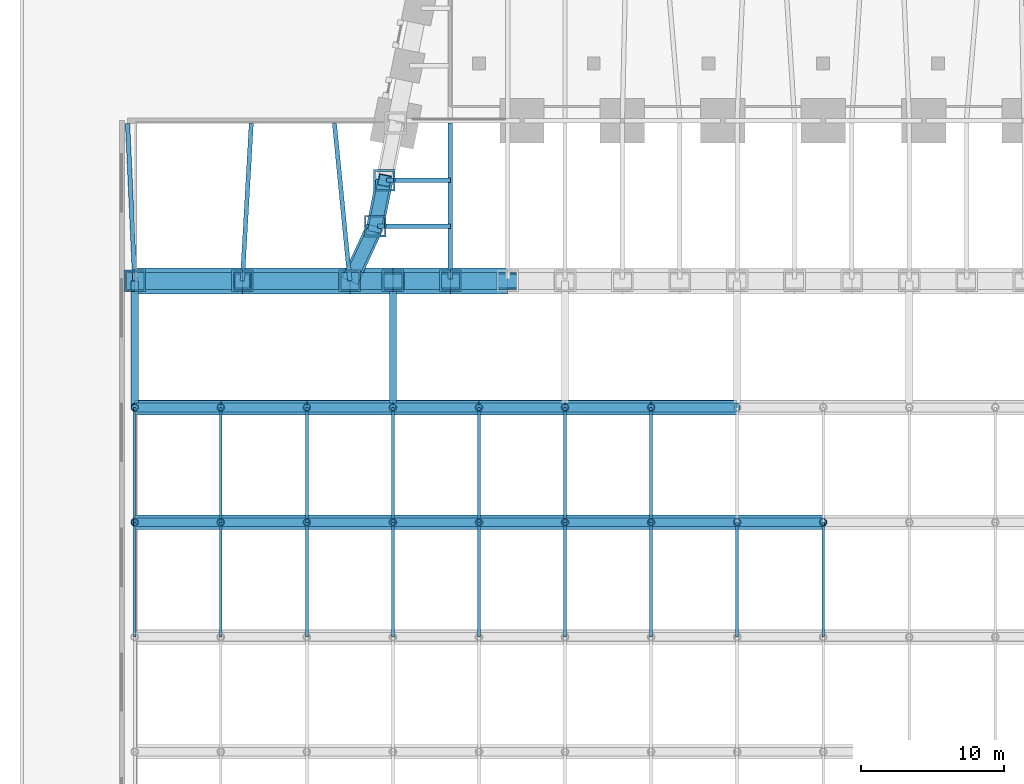
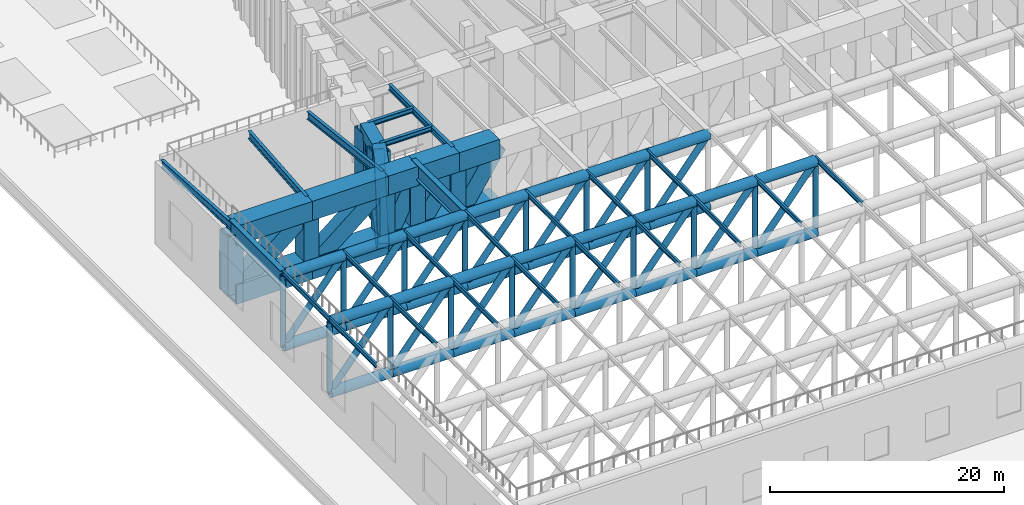
# One storey, part 3 of 20: 89 members, 24 beams.
"""IFC4 building model written with IfcOpenShell, lengths in metres."""

from ifc_helpers import new_model, si_unit, direction, frame, origin, origin_2d, place, context, subcontext, project, spatial, hollow_rectangle, hollow_circle, i_section, extrude, material, material_profile, profile_set, type_object, element, save


model = new_model("IFC4")

# Units and contexts
model_context = context("Model", 3, precision=1e-05, world=origin(), true_north=direction((0.0, 1.0)))
body_context = subcontext(model_context, "Body", "Model", "MODEL_VIEW")
ifc_project = project(units=[si_unit("LENGTHUNIT", "METRE"), si_unit("AREAUNIT", "SQUARE_METRE"), si_unit("VOLUMEUNIT", "CUBIC_METRE"), si_unit("PLANEANGLEUNIT", "RADIAN"), si_unit("MASSUNIT", "GRAM", prefix="KILO")], contexts=[model_context])

# Site, building, storey
site_placement = place(None, origin())
site = spatial("IfcSite", under=ifc_project, at=site_placement, CompositionType="ELEMENT")
building_placement = place(site_placement, origin())
building = spatial("IfcBuilding", under=site, at=building_placement, Name="Isbrekke Arena Tower", CompositionType="ELEMENT")
storey_placement = place(building_placement, frame((0.0, 0.0, 19.0)))
storey = spatial("IfcBuildingStorey", under=building, at=storey_placement, Name="L03", CompositionType="ELEMENT", Elevation=19.0)

# Beams
ifc_material_1 = material(Name="Steel S355", Category="steel")
ifc_material_profile_1 = material_profile(ifc_material_1, i_section(OverallWidth=0.304931640625, OverallDepth=0.6201171875, WebThickness=0.02099609375, FlangeThickness=0.0400390625, FilletRadius=0.027099609375, at=origin_2d()), Name="HEM 600")
ifc_profile_set_1 = profile_set([ifc_material_profile_1], Name="Steel S355")
beam_type_1 = type_object("IfcBeamType", Name="B4 HEM 600", PredefinedType="BEAM", material=ifc_profile_set_1)
beam_1_placement = place(storey_placement, frame((-26.0, -17.02490234375, 8.43994140625), z_axis=(0.0, 1.0, 0.0), x_axis=(-1.0, 0.0, 0.0)))
element("IfcBeam", 1, at=beam_1_placement, inside=storey, type_object=beam_type_1, Name="B4 beam S-S02 L03", PredefinedType="BEAM", context=body_context, shape_type="SweptSolid", body=[
    extrude(i_section(OverallWidth=0.304931640625, OverallDepth=0.6201171875, WebThickness=0.02099609375, FlangeThickness=0.0400390625, FilletRadius=0.027099609375, at=origin_2d()), origin(), (0.0, 0.0, 1.0), 10.8740234375),
])
ifc_material_2 = material(Name="Steel S355", Category="steel")
ifc_material_profile_2 = material_profile(ifc_material_2, i_section(OverallWidth=0.305908203125, OverallDepth=0.52392578125, WebThickness=0.02099609375, FlangeThickness=0.0400390625, FilletRadius=0.027099609375, at=origin_2d()), Name="HEM 500")
ifc_profile_set_2 = profile_set([ifc_material_profile_2], Name="Steel S355")
beam_type_2 = type_object("IfcBeamType", Name="B5 HEM 500", PredefinedType="BEAM", material=ifc_profile_set_2)
beam_2_placement = place(storey_placement, frame((-30.44091796875, -10.161865234375, 8.488037109375), z_axis=(1.0, 0.0, 0.0), x_axis=(0.0, 1.0, 0.0)))
element("IfcBeam", 2, at=beam_2_placement, inside=storey, type_object=beam_type_2, Name="B5 beam E-W10 L03", PredefinedType="BEAM", context=body_context, shape_type="SweptSolid", body=[
    extrude(i_section(OverallWidth=0.305908203125, OverallDepth=0.52392578125, WebThickness=0.02099609375, FlangeThickness=0.0400390625, FilletRadius=0.027099609375, at=origin_2d()), origin(), (0.0, 0.0, 1.0), 4.44091796875),
])
beam_3_placement = place(storey_placement, frame((-31.079345703125, -13.352783203125, 8.488037109375), z_axis=(1.0, 0.0, 0.0), x_axis=(0.0, 1.0, 0.0)))
element("IfcBeam", 3, at=beam_3_placement, inside=storey, type_object=beam_type_2, Name="B5 beam E-W11 L03", PredefinedType="BEAM", context=body_context, shape_type="SweptSolid", body=[
    extrude(i_section(OverallWidth=0.305908203125, OverallDepth=0.52392578125, WebThickness=0.02099609375, FlangeThickness=0.0400390625, FilletRadius=0.027099609375, at=origin_2d()), origin(), (0.0, 0.0, 1.0), 5.079345703125),
])
ifc_material_3 = material(Name="Steel S355", Category="steel")
ifc_material_profile_3 = material_profile(ifc_material_3, i_section(OverallWidth=0.199951171875, OverallDepth=0.5, WebThickness=0.01025390625, FlangeThickness=0.01611328125, FilletRadius=0.02099609375, at=origin_2d()), Name="IPE 500")
ifc_profile_set_3 = profile_set([ifc_material_profile_3], Name="Steel S355")
beam_type_3 = type_object("IfcBeamType", Name="RP1 IPE 500", PredefinedType="BEAM", material=ifc_profile_set_3)
for number, where, z_axis, x_axis, name in (
    (4, (-48.0, -42.0, 8.75), (0.0, 1.0, 0.0), (-1.0, 0.0, 0.0), "RP1 roof purlin 4.1"),
    (5, (-42.0, -42.0, 8.75), (0.0, 1.0, 0.0), (-1.0, 0.0, 0.0), "RP1 roof purlin 4.2"),
    (6, (-36.0, -42.0, 8.75), (0.0, 1.0, 0.0), (-1.0, 0.0, 0.0), "RP1 roof purlin 4.3"),
    (7, (-30.0, -42.0, 8.75), (0.0, 1.0, 0.0), (-1.0, 0.0, 0.0), "RP1 roof purlin 4.4"),
    (8, (-24.0, -42.0, 8.75), (0.0, 1.0, 0.0), (-1.0, 0.0, 0.0), "RP1 roof purlin 4.5"),
    (9, (-18.0, -42.0, 8.75), (0.0, 1.0, 0.0), (-1.0, 0.0, 0.0), "RP1 roof purlin 4.6"),
    (10, (-12.0, -42.0, 8.75), (0.0, 1.0, 0.0), (-1.0, 0.0, 0.0), "RP1 roof purlin 4.7"),
    (11, (-6.0, -42.0, 8.75), (0.0, 1.0, 0.0), (-1.0, 0.0, 0.0), "RP1 roof purlin 4.8"),
    (12, (0.0, -42.0, 8.75), (0.0, 1.0, 0.0), (-1.0, 0.0, 0.0), "RP1 roof purlin 4.9"),
    (13, (-48.0, -34.0, 8.75), (0.0, 1.0, 0.0), (-1.0, 0.0, 0.0), "RP1 roof purlin 5.1"),
    (14, (-42.0, -34.0, 8.75), (0.0, 1.0, 0.0), (-1.0, 0.0, 0.0), "RP1 roof purlin 5.2"),
    (15, (-36.0, -34.0, 8.75), (0.0, 1.0, 0.0), (-1.0, 0.0, 0.0), "RP1 roof purlin 5.3"),
    (16, (-30.0, -34.0, 8.75), (0.0, 1.0, 0.0), (-1.0, 0.0, 0.0), "RP1 roof purlin 5.4"),
    (17, (-24.0, -34.0, 8.75), (0.0, 1.0, 0.0), (-1.0, 0.0, 0.0), "RP1 roof purlin 5.5"),
    (18, (-18.0, -34.0, 8.75), (0.0, 1.0, 0.0), (-1.0, 0.0, 0.0), "RP1 roof purlin 5.6"),
    (19, (-12.0, -34.0, 8.75), (0.0, 1.0, 0.0), (-1.0, 0.0, 0.0), "RP1 roof purlin 5.7"),
):
    element("IfcBeam", number, at=place(storey_placement, frame(where, z_axis=z_axis, x_axis=x_axis)), inside=storey, type_object=beam_type_3, Name=name, PredefinedType="BEAM", context=body_context, shape_type="SweptSolid", body=[
        extrude(i_section(OverallWidth=0.199951171875, OverallDepth=0.5, WebThickness=0.01025390625, FlangeThickness=0.01611328125, FilletRadius=0.02099609375, at=origin_2d()), origin(), (0.0, 0.0, 1.0), 8.0),
    ])
ifc_material_4 = material(Name="Steel S355", Category="steel")
ifc_material_profile_4 = material_profile(ifc_material_4, i_section(OverallWidth=0.302978515625, OverallDepth=0.81396484375, WebThickness=0.02099609375, FlangeThickness=0.0400390625, FilletRadius=0.030029296875, at=origin_2d()), Name="HEM 800")
ifc_profile_set_4 = profile_set([ifc_material_profile_4], Name="Steel S355")
beam_type_4 = type_object("IfcBeamType", Name="RP2 HEM 800", PredefinedType="BEAM", material=ifc_profile_set_4)
beam_4_placement = place(storey_placement, frame((-48.000244140625, -17.168212890625, 8.343017578125), z_axis=(-0.045516592931, 0.998963582804, 0.0), x_axis=(-0.998963582804, -0.045516592931, 0.0)))
element("IfcBeam", 20, at=beam_4_placement, inside=storey, type_object=beam_type_4, Name="RP2 roof purlin NW48", PredefinedType="BEAM", context=body_context, shape_type="SweptSolid", body=[
    extrude(i_section(OverallWidth=0.302978515625, OverallDepth=0.81396484375, WebThickness=0.02099609375, FlangeThickness=0.0400390625, FilletRadius=0.030029296875, at=origin_2d()), origin(), (0.0, 0.0, 1.0), 10.979736328125),
])
beam_5_placement = place(storey_placement, frame((-40.49951171875, -17.16650390625, 8.343017578125), z_axis=(0.056854834738, 0.998382455659, 0.0), x_axis=(-0.998382455659, 0.056854834738, 0.0)))
element("IfcBeam", 21, at=beam_5_placement, inside=storey, type_object=beam_type_4, Name="RP2 roof purlin NW40", PredefinedType="BEAM", context=body_context, shape_type="SweptSolid", body=[
    extrude(i_section(OverallWidth=0.302978515625, OverallDepth=0.81396484375, WebThickness=0.02099609375, FlangeThickness=0.0400390625, FilletRadius=0.030029296875, at=origin_2d()), origin(), (0.0, 0.0, 1.0), 10.984375),
])
beam_6_placement = place(storey_placement, frame((-33.00146484375, -17.160400390625, 8.343017578125), z_axis=(-0.097475413032, 0.995237933287, 0.0), x_axis=(-0.995237933287, -0.097475413032, 0.0)))
element("IfcBeam", 22, at=beam_6_placement, inside=storey, type_object=beam_type_4, Name="RP2 roof purlin NW33", PredefinedType="BEAM", context=body_context, shape_type="SweptSolid", body=[
    extrude(i_section(OverallWidth=0.302978515625, OverallDepth=0.81396484375, WebThickness=0.02099609375, FlangeThickness=0.0400390625, FilletRadius=0.030029296875, at=origin_2d()), origin(), (0.0, 0.0, 1.0), 11.012939453125),
])
ifc_material_5 = material(Name="Steel S460", Category="steel")
ifc_material_profile_5 = material_profile(ifc_material_5, i_section(OverallWidth=0.5, OverallDepth=1.60009765625, WebThickness=0.030029296875, FlangeThickness=0.06005859375, at=origin_2d()), Name="PG 1600x500")
ifc_profile_set_5 = profile_set([ifc_material_profile_5], Name="Steel S460")
beam_type_5 = type_object("IfcBeamType", Name="RP3 PG 1600x500", PredefinedType="BEAM", material=ifc_profile_set_5)
for number, where, z_axis, x_axis, name in (
    (23, (-48.0, -26.0, 8.199951171875), (0.0, 1.0, 0.0), (-1.0, 0.0, 0.0), "RP3 roof purlin 6.1"),
    (24, (-30.0, -26.0, 8.199951171875), (0.0, 1.0, 0.0), (-1.0, 0.0, 0.0), "RP3 roof purlin 6.4"),
):
    element("IfcBeam", number, at=place(storey_placement, frame(where, z_axis=z_axis, x_axis=x_axis)), inside=storey, type_object=beam_type_5, Name=name, PredefinedType="BEAM", context=body_context, shape_type="SweptSolid", body=[
        extrude(i_section(OverallWidth=0.5, OverallDepth=1.60009765625, WebThickness=0.030029296875, FlangeThickness=0.06005859375, at=origin_2d()), origin(), (0.0, 0.0, 1.0), 8.824951171875),
    ])

# Members
ifc_material_6 = material(Name="Steel S355", Category="steel")
ifc_material_profile_6 = material_profile(ifc_material_6, hollow_circle(Radius=0.508056640625, WallThickness=0.050048828125, at=origin_2d()), Name="CHS 1016x50")
ifc_profile_set_6 = profile_set([ifc_material_profile_6], Name="Steel S355")
member_type_1 = type_object("IfcMemberType", Name="RT1 CHS 1016x50", PredefinedType="CHORD", material=ifc_profile_set_6)
for number, where, z_axis, x_axis, name in (
    (25, (-48.0, -34.0, 1.10791015625), (1.0, 0.0, 0.0), (0.0, 1.0, 0.0), "RT5 arena roof truss bottom chord 1"),
    (26, (-48.0, -34.0, 8.491943359375), (1.0, 0.0, 0.0), (0.0, 1.0, 0.0), "RT5 arena roof truss top chord 1"),
    (27, (-42.0, -34.0, 1.10791015625), (1.0, 0.0, 0.0), (0.0, 1.0, 0.0), "RT5 arena roof truss bottom chord 2"),
    (28, (-42.0, -34.0, 8.491943359375), (1.0, 0.0, 0.0), (0.0, 1.0, 0.0), "RT5 arena roof truss top chord 2"),
    (29, (-36.0, -34.0, 1.10791015625), (1.0, 0.0, 0.0), (0.0, 1.0, 0.0), "RT5 arena roof truss bottom chord 3"),
    (30, (-36.0, -34.0, 8.491943359375), (1.0, 0.0, 0.0), (0.0, 1.0, 0.0), "RT5 arena roof truss top chord 3"),
    (31, (-30.0, -34.0, 1.10791015625), (1.0, 0.0, 0.0), (0.0, 1.0, 0.0), "RT5 arena roof truss bottom chord 4"),
    (32, (-30.0, -34.0, 8.491943359375), (1.0, 0.0, 0.0), (0.0, 1.0, 0.0), "RT5 arena roof truss top chord 4"),
    (33, (-24.0, -34.0, 1.10791015625), (1.0, 0.0, 0.0), (0.0, 1.0, 0.0), "RT5 arena roof truss bottom chord 5"),
    (34, (-24.0, -34.0, 8.491943359375), (1.0, 0.0, 0.0), (0.0, 1.0, 0.0), "RT5 arena roof truss top chord 5"),
    (35, (-18.0, -34.0, 1.10791015625), (1.0, 0.0, 0.0), (0.0, 1.0, 0.0), "RT5 arena roof truss bottom chord 6"),
    (36, (-18.0, -34.0, 8.491943359375), (1.0, 0.0, 0.0), (0.0, 1.0, 0.0), "RT5 arena roof truss top chord 6"),
    (37, (-12.0, -34.0, 1.10791015625), (1.0, 0.0, 0.0), (0.0, 1.0, 0.0), "RT5 arena roof truss bottom chord 7"),
    (38, (-12.0, -34.0, 8.491943359375), (1.0, 0.0, 0.0), (0.0, 1.0, 0.0), "RT5 arena roof truss top chord 7"),
    (39, (-6.0, -34.0, 1.10791015625), (1.0, 0.0, 0.0), (0.0, 1.0, 0.0), "RT5 arena roof truss bottom chord 8"),
    (40, (-6.0, -34.0, 8.491943359375), (1.0, 0.0, 0.0), (0.0, 1.0, 0.0), "RT5 arena roof truss top chord 8"),
):
    element("IfcMember", number, at=place(storey_placement, frame(where, z_axis=z_axis, x_axis=x_axis)), inside=storey, type_object=member_type_1, Name=name, PredefinedType="CHORD", context=body_context, shape_type="SweptSolid", body=[
        extrude(hollow_circle(Radius=0.508056640625, WallThickness=0.050048828125, at=origin_2d()), origin(), (0.0, 0.0, 1.0), 6.0),
    ])
ifc_material_7 = material(Name="Steel S355", Category="steel")
ifc_material_profile_7 = material_profile(ifc_material_7, hollow_circle(Radius=0.508056640625, WallThickness=0.080078125, at=origin_2d()), Name="CHS 1016x80")
ifc_profile_set_7 = profile_set([ifc_material_profile_7], Name="Steel S355")
member_type_2 = type_object("IfcMemberType", Name="RT1H CHS 1016x80", PredefinedType="CHORD", material=ifc_profile_set_7)
for number, where, z_axis, x_axis, name in (
    (41, (-48.0, -26.0, 1.10791015625), (1.0, 0.0, 0.0), (0.0, 1.0, 0.0), "RT6 arena roof truss bottom chord 1"),
    (42, (-48.0, -26.0, 8.491943359375), (1.0, 0.0, 0.0), (0.0, 1.0, 0.0), "RT6 arena roof truss top chord 1"),
    (43, (-42.0, -26.0, 1.10791015625), (1.0, 0.0, 0.0), (0.0, 1.0, 0.0), "RT6 arena roof truss bottom chord 2"),
    (44, (-42.0, -26.0, 8.491943359375), (1.0, 0.0, 0.0), (0.0, 1.0, 0.0), "RT6 arena roof truss top chord 2"),
    (45, (-36.0, -26.0, 1.10791015625), (1.0, 0.0, 0.0), (0.0, 1.0, 0.0), "RT6 arena roof truss bottom chord 3"),
    (46, (-36.0, -26.0, 8.491943359375), (1.0, 0.0, 0.0), (0.0, 1.0, 0.0), "RT6 arena roof truss top chord 3"),
    (47, (-30.0, -26.0, 1.10791015625), (1.0, 0.0, 0.0), (0.0, 1.0, 0.0), "RT6 arena roof truss bottom chord 4"),
    (48, (-30.0, -26.0, 8.491943359375), (1.0, 0.0, 0.0), (0.0, 1.0, 0.0), "RT6 arena roof truss top chord 4"),
    (49, (-24.0, -26.0, 1.10791015625), (1.0, 0.0, 0.0), (0.0, 1.0, 0.0), "RT6 arena roof truss bottom chord 5"),
    (50, (-24.0, -26.0, 8.491943359375), (1.0, 0.0, 0.0), (0.0, 1.0, 0.0), "RT6 arena roof truss top chord 5"),
    (51, (-18.0, -26.0, 1.10791015625), (1.0, 0.0, 0.0), (0.0, 1.0, 0.0), "RT6 arena roof truss bottom chord 6"),
    (52, (-18.0, -26.0, 8.491943359375), (1.0, 0.0, 0.0), (0.0, 1.0, 0.0), "RT6 arena roof truss top chord 6"),
    (53, (-12.0, -26.0, 1.10791015625), (1.0, 0.0, 0.0), (0.0, 1.0, 0.0), "RT6 arena roof truss bottom chord 7"),
    (54, (-12.0, -26.0, 8.491943359375), (1.0, 0.0, 0.0), (0.0, 1.0, 0.0), "RT6 arena roof truss top chord 7"),
):
    element("IfcMember", number, at=place(storey_placement, frame(where, z_axis=z_axis, x_axis=x_axis)), inside=storey, type_object=member_type_2, Name=name, PredefinedType="CHORD", context=body_context, shape_type="SweptSolid", body=[
        extrude(hollow_circle(Radius=0.508056640625, WallThickness=0.080078125, at=origin_2d()), origin(), (0.0, 0.0, 1.0), 6.0),
    ])
ifc_material_8 = material(Name="Steel S355", Category="steel")
ifc_material_profile_8 = material_profile(ifc_material_8, hollow_circle(Radius=0.25390625, WallThickness=0.02001953125, at=origin_2d()), Name="CHS 508x20")
ifc_profile_set_8 = profile_set([ifc_material_profile_8], Name="Steel S355")
member_type_3 = type_object("IfcMemberType", Name="RT2 CHS 508x20", PredefinedType="POST", material=ifc_profile_set_8)
for number, where, z_axis, x_axis, name in (
    (55, (-48.0, -34.0, 1.10791015625), (0.0, 0.0, 1.0), (1.0, 0.0, 0.0), "RT5 arena roof truss post 1"),
    (56, (-42.0, -34.0, 1.10791015625), (0.0, 0.0, 1.0), (1.0, 0.0, 0.0), "RT5 arena roof truss post 2"),
    (57, (-36.0, -34.0, 1.10791015625), (0.0, 0.0, 1.0), (1.0, 0.0, 0.0), "RT5 arena roof truss post 3"),
    (58, (-30.0, -34.0, 1.10791015625), (0.0, 0.0, 1.0), (1.0, 0.0, 0.0), "RT5 arena roof truss post 4"),
    (59, (-24.0, -34.0, 1.10791015625), (0.0, 0.0, 1.0), (1.0, 0.0, 0.0), "RT5 arena roof truss post 5"),
    (60, (-18.0, -34.0, 1.10791015625), (0.0, 0.0, 1.0), (1.0, 0.0, 0.0), "RT5 arena roof truss post 6"),
    (61, (-12.0, -34.0, 1.10791015625), (0.0, 0.0, 1.0), (1.0, 0.0, 0.0), "RT5 arena roof truss post 7"),
    (62, (-6.0, -34.0, 1.10791015625), (0.0, 0.0, 1.0), (1.0, 0.0, 0.0), "RT5 arena roof truss post 8"),
    (63, (0.0, -34.0, 1.10791015625), (0.0, 0.0, 1.0), (1.0, 0.0, 0.0), "RT5 arena roof truss post 9"),
    (64, (-48.0, -26.0, 1.10791015625), (0.0, 0.0, 1.0), (1.0, 0.0, 0.0), "RT6 arena roof truss post 1"),
    (65, (-42.0, -26.0, 1.10791015625), (0.0, 0.0, 1.0), (1.0, 0.0, 0.0), "RT6 arena roof truss post 2"),
    (66, (-36.0, -26.0, 1.10791015625), (0.0, 0.0, 1.0), (1.0, 0.0, 0.0), "RT6 arena roof truss post 3"),
    (67, (-30.0, -26.0, 1.10791015625), (0.0, 0.0, 1.0), (1.0, 0.0, 0.0), "RT6 arena roof truss post 4"),
    (68, (-24.0, -26.0, 1.10791015625), (0.0, 0.0, 1.0), (1.0, 0.0, 0.0), "RT6 arena roof truss post 5"),
    (69, (-18.0, -26.0, 1.10791015625), (0.0, 0.0, 1.0), (1.0, 0.0, 0.0), "RT6 arena roof truss post 6"),
    (70, (-12.0, -26.0, 1.10791015625), (0.0, 0.0, 1.0), (1.0, 0.0, 0.0), "RT6 arena roof truss post 7"),
):
    element("IfcMember", number, at=place(storey_placement, frame(where, z_axis=z_axis, x_axis=x_axis)), inside=storey, type_object=member_type_3, Name=name, PredefinedType="POST", context=body_context, shape_type="SweptSolid", body=[
        extrude(hollow_circle(Radius=0.25390625, WallThickness=0.02001953125, at=origin_2d()), origin(), (0.0, 0.0, 1.0), 7.384033203125),
    ])
ifc_material_9 = material(Name="Steel S355", Category="steel")
ifc_material_profile_9 = material_profile(ifc_material_9, hollow_circle(Radius=0.304931640625, WallThickness=0.050048828125, at=origin_2d()), Name="CHS 610x50")
ifc_profile_set_9 = profile_set([ifc_material_profile_9], Name="Steel S355")
member_type_4 = type_object("IfcMemberType", Name="RT3 CHS 610x50", PredefinedType="BRACE", material=ifc_profile_set_9)
for number, where, z_axis, x_axis, name in (
    (71, (-48.0, -34.0, 1.10791015625), (0.630622571469, 0.0, 0.776089667728), (0.0, 1.0, 0.0), "RT5 arena roof truss diagonal 1"),
    (72, (-42.0, -34.0, 1.10791015625), (0.630622571469, 0.0, 0.776089667728), (0.0, 1.0, 0.0), "RT5 arena roof truss diagonal 2"),
    (73, (-36.0, -34.0, 1.10791015625), (0.630622571469, 0.0, 0.776089667728), (0.0, 1.0, 0.0), "RT5 arena roof truss diagonal 3"),
    (74, (-30.0, -34.0, 1.10791015625), (0.630622571469, 0.0, 0.776089667728), (0.0, 1.0, 0.0), "RT5 arena roof truss diagonal 4"),
    (75, (-24.0, -34.0, 1.10791015625), (0.630622571469, 0.0, 0.776089667728), (0.0, 1.0, 0.0), "RT5 arena roof truss diagonal 5"),
    (76, (-18.0, -34.0, 1.10791015625), (0.630622571469, 0.0, 0.776089667728), (0.0, 1.0, 0.0), "RT5 arena roof truss diagonal 6"),
    (77, (-12.0, -34.0, 1.10791015625), (0.630622571469, 0.0, 0.776089667728), (0.0, 1.0, 0.0), "RT5 arena roof truss diagonal 7"),
    (78, (-6.0, -34.0, 1.10791015625), (0.630622571469, 0.0, 0.776089667728), (0.0, 1.0, 0.0), "RT5 arena roof truss diagonal 8"),
    (79, (-48.0, -26.0, 1.10791015625), (0.630622571469, 0.0, 0.776089667728), (0.0, 1.0, 0.0), "RT6 arena roof truss diagonal 1"),
    (80, (-42.0, -26.0, 1.10791015625), (0.630622571469, 0.0, 0.776089667728), (0.0, 1.0, 0.0), "RT6 arena roof truss diagonal 2"),
    (81, (-36.0, -26.0, 1.10791015625), (0.630622571469, 0.0, 0.776089667728), (0.0, 1.0, 0.0), "RT6 arena roof truss diagonal 3"),
    (82, (-30.0, -26.0, 1.10791015625), (0.630622571469, 0.0, 0.776089667728), (0.0, 1.0, 0.0), "RT6 arena roof truss diagonal 4"),
    (83, (-24.0, -26.0, 1.10791015625), (0.630622571469, 0.0, 0.776089667728), (0.0, 1.0, 0.0), "RT6 arena roof truss diagonal 5"),
    (84, (-18.0, -26.0, 1.10791015625), (0.630622571469, 0.0, 0.776089667728), (0.0, 1.0, 0.0), "RT6 arena roof truss diagonal 6"),
    (85, (-12.0, -26.0, 1.10791015625), (0.630622571469, 0.0, 0.776089667728), (0.0, 1.0, 0.0), "RT6 arena roof truss diagonal 7"),
):
    element("IfcMember", number, at=place(storey_placement, frame(where, z_axis=z_axis, x_axis=x_axis)), inside=storey, type_object=member_type_4, Name=name, PredefinedType="BRACE", context=body_context, shape_type="SweptSolid", body=[
        extrude(hollow_circle(Radius=0.304931640625, WallThickness=0.050048828125, at=origin_2d()), origin(), (0.0, 0.0, 1.0), 9.514404296875),
    ])
ifc_material_10 = material(Name="Steel S460", Category="steel")
ifc_material_profile_10 = material_profile(ifc_material_10, hollow_rectangle(XDim=1.800048828125, YDim=2.0, WallThickness=0.199951171875, at=origin_2d()), Name="BOX 1800x2000x200")
ifc_profile_set_10 = profile_set([ifc_material_profile_10], Name="Steel S460")
member_type_5 = type_object("IfcMemberType", Name="TT1 BOX 1800x2000x200", PredefinedType="CHORD", material=ifc_profile_set_10)
for number, where, z_axis, x_axis, name in (
    (86, (-48.0, -17.175048828125, 1.60009765625), (1.0, 0.0, 0.0), (0.0, 1.0, 0.0), "TT1 transfer truss bottom chord 1"),
    (87, (-48.0, -17.175048828125, 7.75), (1.0, 0.0, 0.0), (0.0, 1.0, 0.0), "TT1 transfer truss top chord 1"),
    (88, (-40.5, -17.175048828125, 1.60009765625), (1.0, 0.0, 0.0), (0.0, 1.0, 0.0), "TT1 transfer truss bottom chord 2"),
    (89, (-40.5, -17.175048828125, 7.75), (1.0, 0.0, 0.0), (0.0, 1.0, 0.0), "TT1 transfer truss top chord 2"),
):
    element("IfcMember", number, at=place(storey_placement, frame(where, z_axis=z_axis, x_axis=x_axis)), inside=storey, type_object=member_type_5, Name=name, PredefinedType="CHORD", context=body_context, shape_type="SweptSolid", body=[
        extrude(hollow_rectangle(XDim=1.800048828125, YDim=2.0, WallThickness=0.199951171875, at=origin_2d()), origin(), (0.0, 0.0, 1.0), 7.5),
    ])
for number, where, z_axis, x_axis, name in (
    (90, (-33.0, -17.175048828125, 1.60009765625), (1.0, 0.0, 0.0), (0.0, 1.0, 0.0), "TT1 transfer truss bottom chord 3"),
    (91, (-33.0, -17.175048828125, 7.75), (1.0, 0.0, 0.0), (0.0, 1.0, 0.0), "TT1 transfer truss top chord 3"),
):
    element("IfcMember", number, at=place(storey_placement, frame(where, z_axis=z_axis, x_axis=x_axis)), inside=storey, type_object=member_type_5, Name=name, PredefinedType="CHORD", context=body_context, shape_type="SweptSolid", body=[
        extrude(hollow_rectangle(XDim=1.800048828125, YDim=2.0, WallThickness=0.199951171875, at=origin_2d()), origin(), (0.0, 0.0, 1.0), 3.0),
    ])
for number, where, z_axis, x_axis, name in (
    (92, (-30.0, -17.175048828125, 1.60009765625), (1.0, 0.0, 0.0), (0.0, 1.0, 0.0), "TT1 transfer truss bottom chord 4"),
    (93, (-30.0, -17.175048828125, 7.75), (1.0, 0.0, 0.0), (0.0, 1.0, 0.0), "TT1 transfer truss top chord 4"),
    (94, (-26.0, -17.175048828125, 1.60009765625), (1.0, 0.0, 0.0), (0.0, 1.0, 0.0), "TT1 transfer truss bottom chord 5"),
    (95, (-26.0, -17.175048828125, 7.75), (1.0, 0.0, 0.0), (0.0, 1.0, 0.0), "TT1 transfer truss top chord 5"),
):
    element("IfcMember", number, at=place(storey_placement, frame(where, z_axis=z_axis, x_axis=x_axis)), inside=storey, type_object=member_type_5, Name=name, PredefinedType="CHORD", context=body_context, shape_type="SweptSolid", body=[
        extrude(hollow_rectangle(XDim=1.800048828125, YDim=2.0, WallThickness=0.199951171875, at=origin_2d()), origin(), (0.0, 0.0, 1.0), 4.0),
    ])
ifc_material_11 = material(Name="Steel S460", Category="steel")
ifc_material_profile_11 = material_profile(ifc_material_11, hollow_rectangle(XDim=1.5, YDim=1.5, WallThickness=0.1201171875, at=origin_2d()), Name="BOX 1500x1500x120")
ifc_profile_set_11 = profile_set([ifc_material_profile_11], Name="Steel S460")
member_type_6 = type_object("IfcMemberType", Name="TT2 BOX 1500x1500x120", PredefinedType="POST", material=ifc_profile_set_11)
for number, where, z_axis, x_axis, name in (
    (96, (-48.0, -17.175048828125, 1.60009765625), (0.0, 0.0, 1.0), (1.0, 0.0, 0.0), "TT1 transfer truss post 1"),
    (97, (-40.5, -17.175048828125, 1.60009765625), (0.0, 0.0, 1.0), (1.0, 0.0, 0.0), "TT1 transfer truss post 2"),
    (98, (-33.0, -17.175048828125, 1.60009765625), (0.0, 0.0, 1.0), (1.0, 0.0, 0.0), "TT1 transfer truss post 3"),
    (99, (-30.0, -17.175048828125, 1.60009765625), (0.0, 0.0, 1.0), (1.0, 0.0, 0.0), "TT1 transfer truss post 4"),
    (100, (-26.0, -17.175048828125, 1.60009765625), (0.0, 0.0, 1.0), (1.0, 0.0, 0.0), "TT1 transfer truss post 5"),
):
    element("IfcMember", number, at=place(storey_placement, frame(where, z_axis=z_axis, x_axis=x_axis)), inside=storey, type_object=member_type_6, Name=name, PredefinedType="POST", context=body_context, shape_type="SweptSolid", body=[
        extrude(hollow_rectangle(XDim=1.5, YDim=1.5, WallThickness=0.1201171875, at=origin_2d()), origin(), (0.0, 0.0, 1.0), 6.14990234375),
    ])
for number, where, z_axis, x_axis, name in (
    (101, (-31.229248046875, -13.352783203125, 1.199951171875), (0.0, 0.0, 1.0), (1.0, 0.0, 0.0), "TT2 side transfer truss W post 2"),
    (102, (-30.591064453125, -10.161865234375, 1.199951171875), (0.0, 0.0, 1.0), (1.0, 0.0, 0.0), "TT2 side transfer truss W post 3"),
):
    element("IfcMember", number, at=place(storey_placement, frame(where, z_axis=z_axis, x_axis=x_axis)), inside=storey, type_object=member_type_6, Name=name, PredefinedType="POST", context=body_context, shape_type="SweptSolid", body=[
        extrude(hollow_rectangle(XDim=1.5, YDim=1.5, WallThickness=0.1201171875, at=origin_2d()), origin(), (0.0, 0.0, 1.0), 6.949951171875),
    ])
ifc_material_12 = material(Name="Steel S460", Category="steel")
ifc_material_profile_12 = material_profile(ifc_material_12, hollow_rectangle(XDim=1.199951171875, YDim=1.800048828125, WallThickness=0.10009765625, at=origin_2d()), Name="BOX 1200x1800x100")
ifc_profile_set_12 = profile_set([ifc_material_profile_12], Name="Steel S460")
member_type_7 = type_object("IfcMemberType", Name="TT3 BOX 1200x1800x100", PredefinedType="BRACE", material=ifc_profile_set_12)
for number, where, z_axis, x_axis, name in (
    (103, (-48.0, -17.175048828125, 1.60009765625), (0.773272727269, 0.0, 0.634073567705), (0.0, 1.0, 0.0), "TT1 transfer truss diagonal 1"),
    (104, (-40.5, -17.175048828125, 1.60009765625), (0.773272727269, 0.0, 0.634073567705), (0.0, 1.0, 0.0), "TT1 transfer truss diagonal 2"),
):
    element("IfcMember", number, at=place(storey_placement, frame(where, z_axis=z_axis, x_axis=x_axis)), inside=storey, type_object=member_type_7, Name=name, PredefinedType="BRACE", context=body_context, shape_type="SweptSolid", body=[
        extrude(hollow_rectangle(XDim=1.199951171875, YDim=1.800048828125, WallThickness=0.10009765625, at=origin_2d()), origin(), (0.0, 0.0, 1.0), 9.698974609375),
    ])
member_1_placement = place(storey_placement, frame((-33.0, -17.175048828125, 1.60009765625), z_axis=(0.438429255686, 0.0, 0.898765702371), x_axis=(0.0, 1.0, 0.0)))
element("IfcMember", 105, at=member_1_placement, inside=storey, type_object=member_type_7, Name="TT1 transfer truss diagonal 3", PredefinedType="BRACE", context=body_context, shape_type="SweptSolid", body=[
    extrude(hollow_rectangle(XDim=1.199951171875, YDim=1.800048828125, WallThickness=0.10009765625, at=origin_2d()), origin(), (0.0, 0.0, 1.0), 6.842529296875),
])
for number, where, z_axis, x_axis, name in (
    (106, (-30.0, -17.175048828125, 1.60009765625), (0.545233967716, 0.0, 0.838283913987), (0.0, 1.0, 0.0), "TT1 transfer truss diagonal 4"),
    (107, (-26.0, -17.175048828125, 1.60009765625), (0.545233967716, 0.0, 0.838283913987), (0.0, 1.0, 0.0), "TT1 transfer truss diagonal 5"),
):
    element("IfcMember", number, at=place(storey_placement, frame(where, z_axis=z_axis, x_axis=x_axis)), inside=storey, type_object=member_type_7, Name=name, PredefinedType="BRACE", context=body_context, shape_type="SweptSolid", body=[
        extrude(hollow_rectangle(XDim=1.199951171875, YDim=1.800048828125, WallThickness=0.10009765625, at=origin_2d()), origin(), (0.0, 0.0, 1.0), 7.336181640625),
    ])
ifc_material_13 = material(Name="Steel S460", Category="steel")
ifc_material_profile_13 = material_profile(ifc_material_13, hollow_rectangle(XDim=1.199951171875, YDim=1.199951171875, WallThickness=0.10009765625, at=origin_2d()), Name="BOX 1200x1200x100")
ifc_profile_set_13 = profile_set([ifc_material_profile_13], Name="Steel S460")
member_type_8 = type_object("IfcMemberType", Name="TT4 BOX 1200x1200x100", PredefinedType="CHORD", material=ifc_profile_set_13)
for number, where, z_axis, x_axis, name in (
    (108, (-33.0, -17.175048828125, 1.199951171875), (0.420355116696, 0.907359672824, 0.0), (-0.907359672824, 0.420355116696, 0.0), "TT2 side transfer truss W bottom chord 1"),
    (109, (-33.0, -17.175048828125, 8.14990234375), (0.420355116696, 0.907359672824, 0.0), (-0.907359672824, 0.420355116696, 0.0), "TT2 side transfer truss W top chord 1"),
):
    element("IfcMember", number, at=place(storey_placement, frame(where, z_axis=z_axis, x_axis=x_axis)), inside=storey, type_object=member_type_8, Name=name, PredefinedType="CHORD", context=body_context, shape_type="SweptSolid", body=[
        extrude(hollow_rectangle(XDim=1.199951171875, YDim=1.199951171875, WallThickness=0.10009765625, at=origin_2d()), origin(), (0.0, 0.0, 1.0), 4.21240234375),
    ])
for number, where, z_axis, x_axis, name in (
    (110, (-31.229248046875, -13.352783203125, 1.199951171875), (0.196116135138, 0.980580675691, 0.0), (-0.980580675691, 0.196116135138, 0.0), "TT2 side transfer truss W bottom chord 2"),
    (111, (-31.229248046875, -13.352783203125, 8.14990234375), (0.196116135138, 0.980580675691, 0.0), (-0.980580675691, 0.196116135138, 0.0), "TT2 side transfer truss W top chord 2"),
):
    element("IfcMember", number, at=place(storey_placement, frame(where, z_axis=z_axis, x_axis=x_axis)), inside=storey, type_object=member_type_8, Name=name, PredefinedType="CHORD", context=body_context, shape_type="SweptSolid", body=[
        extrude(hollow_rectangle(XDim=1.199951171875, YDim=1.199951171875, WallThickness=0.10009765625, at=origin_2d()), origin(), (0.0, 0.0, 1.0), 3.254150390625),
    ])
ifc_material_14 = material(Name="Steel S460", Category="steel")
ifc_material_profile_14 = material_profile(ifc_material_14, hollow_rectangle(XDim=0.89990234375, YDim=0.89990234375, WallThickness=0.06005859375, at=origin_2d()), Name="BOX 900x900x60")
ifc_profile_set_14 = profile_set([ifc_material_profile_14], Name="Steel S460")
member_type_9 = type_object("IfcMemberType", Name="TT5 BOX 900x900x60", PredefinedType="BRACE", material=ifc_profile_set_14)
member_2_placement = place(storey_placement, frame((-33.0, -17.175048828125, 1.199951171875), z_axis=(0.217886768809, 0.470320591821, 0.855174775637), x_axis=(-0.907359672824, 0.420355116696, 0.0)))
element("IfcMember", 112, at=member_2_placement, inside=storey, type_object=member_type_9, Name="TT2 side transfer truss W diagonal 1", PredefinedType="BRACE", context=body_context, shape_type="SweptSolid", body=[
    extrude(hollow_rectangle(XDim=0.89990234375, YDim=0.89990234375, WallThickness=0.06005859375, at=origin_2d()), origin(), (0.0, 0.0, 1.0), 8.126953125),
])
member_3_placement = place(storey_placement, frame((-31.229248046875, -13.352783203125, 1.199951171875), z_axis=(0.083161240762, 0.415806203812, 0.905643091348), x_axis=(-0.980580675691, 0.196116135138, 0.0)))
element("IfcMember", 113, at=member_3_placement, inside=storey, type_object=member_type_9, Name="TT2 side transfer truss W diagonal 2", PredefinedType="BRACE", context=body_context, shape_type="SweptSolid", body=[
    extrude(hollow_rectangle(XDim=0.89990234375, YDim=0.89990234375, WallThickness=0.06005859375, at=origin_2d()), origin(), (0.0, 0.0, 1.0), 7.674072265625),
])

save(model, "model.ifc")
